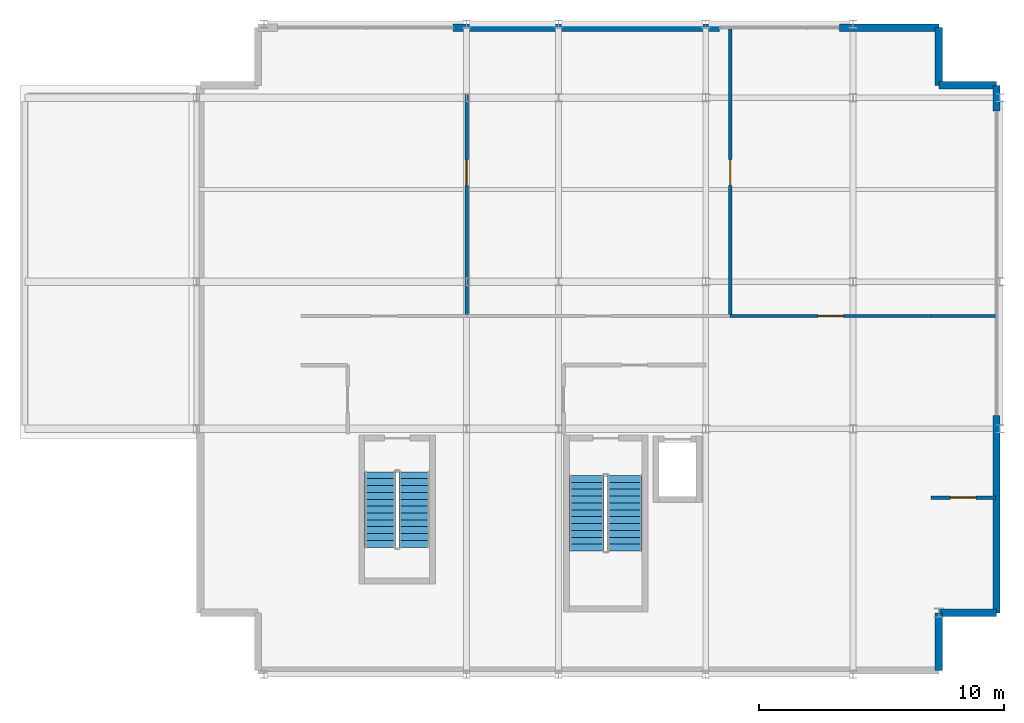
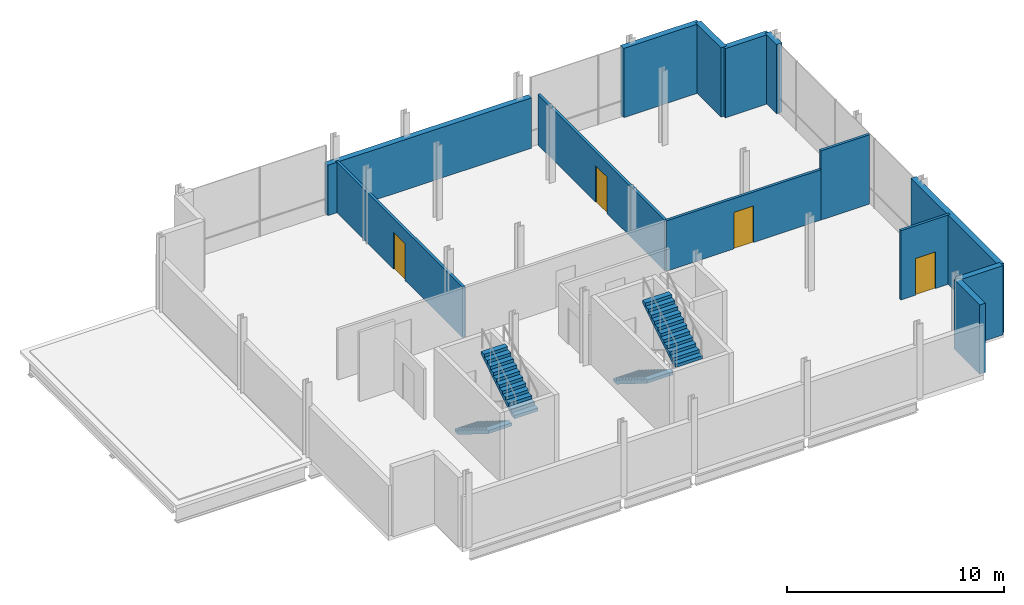
# One storey, part 10 of 11: 13 walls, 4 doors, 4 stair flights, 4 openings, 2 elements without a shape of their own.
"""IFC4 building model written with IfcOpenShell, lengths in metres."""

from ifc_helpers import new_model, si_unit, direction, frame, frame_2d, origin, place, context, subcontext, project, spatial, polyline, rectangle, outline, extrude, material, layer, layer_set, type_object, element, fill, aggregate, save


model = new_model("IFC4")

# Units and contexts
model_context = context("Model", 3, precision=1e-05, world=origin(), true_north=direction((0.0, 1.0)))
body_context = subcontext(model_context, "Body", "Model", "MODEL_VIEW")
ifc_project = project(units=[si_unit("LENGTHUNIT", "METRE"), si_unit("AREAUNIT", "SQUARE_METRE"), si_unit("VOLUMEUNIT", "CUBIC_METRE"), si_unit("PLANEANGLEUNIT", "RADIAN"), si_unit("MASSUNIT", "GRAM", prefix="KILO")], contexts=[model_context])

# Site, building, storey
site_placement = place(None, origin())
site = spatial("IfcSite", under=ifc_project, at=site_placement, CompositionType="ELEMENT")
building_placement = place(site_placement, origin())
building = spatial("IfcBuilding", under=site, at=building_placement, Name="Brevholm Reach", CompositionType="ELEMENT")
storey_placement = place(building_placement, frame((0.0, 0.0, 247.25)))
storey = spatial("IfcBuildingStorey", under=building, at=storey_placement, Name="L75", CompositionType="ELEMENT", Elevation=247.25)

# Walls
ifc_material_1 = material(Name="Concrete C40/50", Category="concrete")
ifc_layer_1 = layer(ifc_material_1, 0.300048828125)
ifc_layer_set_1 = layer_set([ifc_layer_1], Name="Concrete C40/50")
wall_type_1 = type_object("IfcWallType", Name="WAL-EXT-300", PredefinedType="STANDARD", material=ifc_layer_set_1)
for number, where, z_axis, x_axis, name in (
    (1, (57.5, 0.14990234375, 0.0), (0.0, 0.0, 1.0), (0.0, 1.0, 0.0), "L75 Facade Wall WAL-L75-CSE1"),
    (2, (57.5, 2.5, 0.0), (0.0, 0.0, 1.0), (1.0, 0.0, 0.0), "L75 Facade Wall WAL-L75-CSE2"),
    (3, (59.85009765625, 24.0, 0.0), (0.0, 0.0, 1.0), (-1.0, 0.0, 0.0), "L75 Facade Wall WAL-L75-CNE1"),
    (4, (57.5, 24.0, 0.0), (0.0, 0.0, 1.0), (0.0, 1.0, 0.0), "L75 Facade Wall WAL-L75-CNE2"),
):
    element("IfcWall", number, at=place(storey_placement, frame(where, z_axis=z_axis, x_axis=x_axis)), inside=storey, type_object=wall_type_1, Name=name, PredefinedType="STANDARD", context=body_context, shape_type="SweptSolid", body=[
        extrude(rectangle(XDim=2.35009765625, YDim=0.300048828125, at=frame_2d((1.175048828125, 0.0))), origin(), (0.0, 0.0, 1.0), 3.89990234375),
    ])
wall_1_placement = place(storey_placement, frame((59.85009765625, 2.5, 0.0), z_axis=(0.0, 0.0, 1.0), x_axis=(0.0, 1.0, 0.0)))
element("IfcWall", 5, at=wall_1_placement, inside=storey, type_object=wall_type_1, Name="L75 Facade Wall WAL-L75-E-S", PredefinedType="STANDARD", context=body_context, shape_type="SweptSolid", body=[
    extrude(rectangle(XDim=8.050048828125, YDim=0.300048828125, at=frame_2d((4.02490234375, 0.0))), origin(), (0.0, 0.0, 1.0), 3.89990234375),
])
wall_2_placement = place(storey_placement, frame((59.85009765625, 22.949951171875, 0.0), z_axis=(0.0, 0.0, 1.0), x_axis=(0.0, 1.0, 0.0)))
element("IfcWall", 6, at=wall_2_placement, inside=storey, type_object=wall_type_1, Name="L75 Facade Wall WAL-L75-E-TOP", PredefinedType="STANDARD", context=body_context, shape_type="SweptSolid", body=[
    extrude(rectangle(XDim=1.050048828125, YDim=0.300048828125, at=frame_2d((0.52490234375, 0.0))), origin(), (0.0, 0.0, 1.0), 3.89990234375),
])
wall_3_placement = place(storey_placement, frame((37.699951171875, 26.35009765625, 0.0), z_axis=(0.0, 0.0, 1.0), x_axis=(1.0, 0.0, 0.0)))
element("IfcWall", 7, at=wall_3_placement, inside=storey, type_object=wall_type_1, Name="L75 Facade Wall WAL-L75-NP-2", PredefinedType="STANDARD", context=body_context, shape_type="SweptSolid", body=[
    extrude(rectangle(XDim=10.85009765625, YDim=0.300048828125, at=frame_2d((5.425048828125, 0.0))), origin(), (0.0, 0.0, 1.0), 2.838623046875),
])
wall_4_placement = place(storey_placement, frame((53.449951171875, 26.35009765625, 0.0), z_axis=(0.0, 0.0, 1.0), x_axis=(1.0, 0.0, 0.0)))
element("IfcWall", 8, at=wall_4_placement, inside=storey, type_object=wall_type_1, Name="L75 Facade Wall WAL-L75-NP-4", PredefinedType="STANDARD", context=body_context, shape_type="SweptSolid", body=[
    extrude(rectangle(XDim=4.050048828125, YDim=0.300048828125, at=frame_2d((2.02490234375, 0.0))), origin(), (0.0, 0.0, 1.0), 3.89990234375),
])

# Wall, opening, door
ifc_material_2 = material(Name="Twin-Stud Acoustic Fire-Rated Gypsum Partition 140 mm", Category="gypsum")
ifc_layer_2 = layer(ifc_material_2, 0.139892578125)
ifc_layer_set_2 = layer_set([ifc_layer_2], Name="Twin-Stud Acoustic Fire-Rated Gypsum Partition 140 mm")
wall_type_2 = type_object("IfcWallType", Name="WAL-PRT-140", PredefinedType="PARTITIONING", material=ifc_layer_set_2)
wall_5_placement = place(storey_placement, frame((48.99267578125, 14.60009765625, 0.0), z_axis=(0.0, 0.0, 1.0), x_axis=(1.0, 0.0, 0.0)))
wall_5 = element("IfcWall", 9, at=wall_5_placement, inside=storey, type_object=wall_type_2, Name="L75 Internal Partition 006", PredefinedType="PARTITIONING", context=body_context, shape_type="SweptSolid", body=[
    extrude(rectangle(XDim=8.207275390625, YDim=0.139892578125, at=frame_2d((4.103515625, 0.0))), origin(), (0.0, 0.0, 1.0), 2.838623046875),
])
opening_1_placement = place(wall_5_placement, frame((3.57861328125, 0.0, 0.0)))
opening_1 = element("IfcOpeningElement", 10, at=opening_1_placement, cuts=wall_5, Name="Opening FD-01", PredefinedType="OPENING", context=body_context, shape_type="SweptSolid", body=[
    extrude(rectangle(XDim=1.050048828125, YDim=2.06005859375, at=frame_2d((0.52490234375, 1.030029296875))), frame((0.0, 0.079833984375, 0.0), z_axis=(0.0, -1.0, 0.0), x_axis=(1.0, 0.0, 0.0)), (0.0, 0.0, 1.0), 0.159912109375),
])
ifc_material_3 = material(Name="Hardwood-Lipped Steel-Core Fire and Smoke Door", Category="steel")
door_type = type_object("IfcDoorType", Name="DOR-INT-FD60S", OperationType="NOTDEFINED", PredefinedType="DOOR", material=ifc_material_3)
door_1_placement = place(opening_1_placement, origin())
door_1 = element("IfcDoor", 11, at=door_1_placement, inside=storey, type_object=door_type, Name="L75 Internal Door 006", OperationType="SINGLE_SWING_RIGHT", OverallHeight=2.06005859375, OverallWidth=1.050048828125, PredefinedType="DOOR", context=body_context, shape_type="SweptSolid", body=[
    extrude(rectangle(XDim=1.050048828125, YDim=2.06005859375, at=frame_2d((0.52490234375, 1.030029296875))), frame((0.0, 0.02490234375, 0.0), z_axis=(0.0, -1.0, 0.0), x_axis=(1.0, 0.0, 0.0)), (0.0, 0.0, 1.0), 0.050048828125),
])
fill(opening_1, door_1)

wall_6_placement = place(storey_placement, frame((38.25, 14.60400390625, 0.0), z_axis=(0.0, 0.0, 1.0), x_axis=(0.0, 1.0, 0.0)))
wall_6 = element("IfcWall", 12, at=wall_6_placement, inside=storey, type_object=wall_type_2, Name="L75 Internal Partition 008", PredefinedType="PARTITIONING", context=body_context, shape_type="SweptSolid", body=[
    extrude(rectangle(XDim=11.696044921875, YDim=0.139892578125, at=frame_2d((5.84814453125, 0.0))), origin(), (0.0, 0.0, 1.0), 2.838623046875),
])
opening_2_placement = place(wall_6_placement, frame((5.322998046875, 0.0, 0.0)))
opening_2 = element("IfcOpeningElement", 13, at=opening_2_placement, cuts=wall_6, Name="Opening FD-01", PredefinedType="OPENING", context=body_context, shape_type="SweptSolid", body=[
    extrude(rectangle(XDim=1.050048828125, YDim=2.06005859375, at=frame_2d((0.52490234375, 1.030029296875))), frame((0.0, 0.079833984375, 0.0), z_axis=(0.0, -1.0, 0.0), x_axis=(1.0, 0.0, 0.0)), (0.0, 0.0, 1.0), 0.159912109375),
])
door_2_placement = place(opening_2_placement, origin())
door_2 = element("IfcDoor", 14, at=door_2_placement, inside=storey, type_object=door_type, Name="L75 Internal Door 007", OperationType="SINGLE_SWING_LEFT", OverallHeight=2.06005859375, OverallWidth=1.050048828125, PredefinedType="DOOR", context=body_context, shape_type="SweptSolid", body=[
    extrude(rectangle(XDim=1.050048828125, YDim=2.06005859375, at=frame_2d((0.52490234375, 1.030029296875))), frame((0.0, 0.02490234375, 0.0), z_axis=(0.0, -1.0, 0.0), x_axis=(1.0, 0.0, 0.0)), (0.0, 0.0, 1.0), 0.050048828125),
])
fill(opening_2, door_2)

wall_7_placement = place(storey_placement, frame((49.0, 14.60400390625, 0.0), z_axis=(0.0, 0.0, 1.0), x_axis=(0.0, 1.0, 0.0)))
wall_7 = element("IfcWall", 15, at=wall_7_placement, inside=storey, type_object=wall_type_2, Name="L75 Internal Partition 009", PredefinedType="PARTITIONING", context=body_context, shape_type="SweptSolid", body=[
    extrude(rectangle(XDim=11.696044921875, YDim=0.139892578125, at=frame_2d((5.84814453125, 0.0))), origin(), (0.0, 0.0, 1.0), 2.838623046875),
])
opening_3_placement = place(wall_7_placement, frame((5.322998046875, 0.0, 0.0)))
opening_3 = element("IfcOpeningElement", 16, at=opening_3_placement, cuts=wall_7, Name="Opening FD-01", PredefinedType="OPENING", context=body_context, shape_type="SweptSolid", body=[
    extrude(rectangle(XDim=1.050048828125, YDim=2.06005859375, at=frame_2d((0.52490234375, 1.030029296875))), frame((0.0, 0.079833984375, 0.0), z_axis=(0.0, -1.0, 0.0), x_axis=(1.0, 0.0, 0.0)), (0.0, 0.0, 1.0), 0.159912109375),
])
door_3_placement = place(opening_3_placement, origin())
door_3 = element("IfcDoor", 17, at=door_3_placement, inside=storey, type_object=door_type, Name="L75 Internal Door 008", OperationType="SINGLE_SWING_RIGHT", OverallHeight=2.06005859375, OverallWidth=1.050048828125, PredefinedType="DOOR", context=body_context, shape_type="SweptSolid", body=[
    extrude(rectangle(XDim=1.050048828125, YDim=2.06005859375, at=frame_2d((0.52490234375, 1.030029296875))), frame((0.0, 0.02490234375, 0.0), z_axis=(0.0, -1.0, 0.0), x_axis=(1.0, 0.0, 0.0)), (0.0, 0.0, 1.0), 0.050048828125),
])
fill(opening_3, door_3)

# Wall
wall_8_placement = place(storey_placement, frame((57.2041015625, 14.60009765625, 0.0), z_axis=(0.0, 0.0, 1.0), x_axis=(1.0, 0.0, 0.0)))
element("IfcWall", 18, at=wall_8_placement, inside=storey, type_object=wall_type_2, Name="L75 Internal Partition 010", PredefinedType="PARTITIONING", context=body_context, shape_type="SweptSolid", body=[
    extrude(rectangle(XDim=2.595947265625, YDim=0.139892578125, at=frame_2d((1.2978515625, 0.0))), origin(), (0.0, 0.0, 1.0), 3.89990234375),
])

# Wall, opening, door
wall_9_placement = place(storey_placement, frame((57.188720703125, 7.199951171875, 0.0), z_axis=(0.0, 0.0, 1.0), x_axis=(1.0, 0.0, 0.0)))
wall_9 = element("IfcWall", 19, at=wall_9_placement, inside=storey, type_object=wall_type_2, Name="L75 Internal Partition 011", PredefinedType="PARTITIONING", context=body_context, shape_type="SweptSolid", body=[
    extrude(rectangle(XDim=2.611328125, YDim=0.139892578125, at=frame_2d((1.3056640625, 0.0))), origin(), (0.0, 0.0, 1.0), 3.89990234375),
])
opening_4_placement = place(wall_9_placement, frame((0.780517578125, 0.0, 0.0)))
opening_4 = element("IfcOpeningElement", 20, at=opening_4_placement, cuts=wall_9, Name="Opening FD-01", PredefinedType="OPENING", context=body_context, shape_type="SweptSolid", body=[
    extrude(rectangle(XDim=1.050048828125, YDim=2.06005859375, at=frame_2d((0.52490234375, 1.030029296875))), frame((0.0, 0.079833984375, 0.0), z_axis=(0.0, -1.0, 0.0), x_axis=(1.0, 0.0, 0.0)), (0.0, 0.0, 1.0), 0.159912109375),
])
door_4_placement = place(opening_4_placement, origin())
door_4 = element("IfcDoor", 21, at=door_4_placement, inside=storey, type_object=door_type, Name="L75 Internal Door 009", OperationType="SINGLE_SWING_LEFT", OverallHeight=2.06005859375, OverallWidth=1.050048828125, PredefinedType="DOOR", context=body_context, shape_type="SweptSolid", body=[
    extrude(rectangle(XDim=1.050048828125, YDim=2.06005859375, at=frame_2d((0.52490234375, 1.030029296875))), frame((0.0, 0.02490234375, 0.0), z_axis=(0.0, -1.0, 0.0), x_axis=(1.0, 0.0, 0.0)), (0.0, 0.0, 1.0), 0.050048828125),
])
fill(opening_4, door_4)

# Stair, stair flights
ifc_material_4 = material(Name="Precast Concrete C40/50", Category="concrete")
stair_type_1 = type_object("IfcStairType", Name="STR-ESC-1250", PredefinedType="DOUBLE_RETURN_STAIR", material=ifc_material_4)
stair_1_placement = place(storey_placement, origin())
stair_1 = element("IfcStair", 22, at=stair_1_placement, inside=storey, type_object=stair_type_1, Name="L75 ST-3", PredefinedType="DOUBLE_RETURN_STAIR")
ifc_material_5 = material(Name="Precast Concrete C40/50", Category="concrete")
ifc_layer_3 = layer(ifc_material_5, 0.1650390625)
ifc_layer_set_3 = layer_set([ifc_layer_3], Name="Precast Concrete C40/50")
stair_flight_type_1 = type_object("IfcStairFlightType", Name="STF-PRC-165", PredefinedType="STRAIGHT", material=ifc_layer_set_3)
stair_flight_1_placement = place(storey_placement, frame((34.72509765625, 8.25, 0.0), z_axis=(0.0, 0.0, 1.0), x_axis=(0.0, -1.0, 0.0)))
stair_flight_1 = element("IfcStairFlight", 23, at=stair_flight_1_placement, type_object=stair_flight_type_1, Name="ST-3 flight 1", NumberOfRisers=12, NumberOfTreads=11, PredefinedType="STRAIGHT", RiserHeight=0.175, TreadLength=0.28, context=body_context, shape_type="SweptSolid", body=[
    extrude(outline(polyline([(0.0, 0.0), (0.0, 0.175048828125), (0.280029296875, 0.175048828125), (0.280029296875, 0.35009765625), (0.56005859375, 0.35009765625), (0.56005859375, 0.52490234375), (0.840087890625, 0.52490234375), (0.840087890625, 0.699951171875), (1.1201171875, 0.699951171875), (1.1201171875, 0.875), (1.39990234375, 0.875), (1.39990234375, 1.050048828125), (1.679931640625, 1.050048828125), (1.679931640625, 1.22509765625), (1.9599609375, 1.22509765625), (1.9599609375, 1.39990234375), (2.239990234375, 1.39990234375), (2.239990234375, 1.574951171875), (2.52001953125, 1.574951171875), (2.52001953125, 1.75), (2.800048828125, 1.75), (2.800048828125, 1.925048828125), (3.080078125, 1.925048828125), (3.080078125, 2.10009765625), (3.080078125, 1.748291015625), (0.28271484375, 0.0), (0.0, 0.0)])), frame((0.0, 0.625, 0.0), z_axis=(0.0, -1.0, 0.0), x_axis=(1.0, 0.0, 0.0)), (0.0, 0.0, 1.0), 1.25),
])
stair_flight_2_placement = place(storey_placement, frame((36.125, 5.169921875, 2.10009765625), z_axis=(0.0, 0.0, 1.0), x_axis=(0.0, 1.0, 0.0)))
stair_flight_2 = element("IfcStairFlight", 24, at=stair_flight_2_placement, type_object=stair_flight_type_1, Name="ST-3 flight 2", NumberOfRisers=12, NumberOfTreads=11, PredefinedType="STRAIGHT", RiserHeight=0.175, TreadLength=0.28, context=body_context, shape_type="SweptSolid", body=[
    extrude(outline(polyline([(0.0, 0.0), (0.0, 0.175048828125), (0.280029296875, 0.175048828125), (0.280029296875, 0.35009765625), (0.56005859375, 0.35009765625), (0.56005859375, 0.52490234375), (0.840087890625, 0.52490234375), (0.840087890625, 0.699951171875), (1.1201171875, 0.699951171875), (1.1201171875, 0.875), (1.39990234375, 0.875), (1.39990234375, 1.050048828125), (1.679931640625, 1.050048828125), (1.679931640625, 1.22509765625), (1.9599609375, 1.22509765625), (1.9599609375, 1.39990234375), (2.239990234375, 1.39990234375), (2.239990234375, 1.574951171875), (2.52001953125, 1.574951171875), (2.52001953125, 1.75), (2.800048828125, 1.75), (2.800048828125, 1.925048828125), (3.080078125, 1.925048828125), (3.080078125, 2.10009765625), (3.080078125, 1.748291015625), (0.28271484375, 0.0), (0.0, 0.0)])), frame((0.0, 0.625, 0.0), z_axis=(0.0, -1.0, 0.0), x_axis=(1.0, 0.0, 0.0)), (0.0, 0.0, 1.0), 1.25),
])
aggregate(stair_1, [stair_flight_1, stair_flight_2])

ifc_material_6 = material(Name="Precast Concrete C40/50", Category="concrete")
stair_type_2 = type_object("IfcStairType", Name="STR-ESC-1400", PredefinedType="DOUBLE_RETURN_STAIR", material=ifc_material_6)
stair_2_placement = place(storey_placement, origin())
stair_2 = element("IfcStair", 25, at=stair_2_placement, inside=storey, type_object=stair_type_2, Name="L75 ST-2", PredefinedType="DOUBLE_RETURN_STAIR")
ifc_material_7 = material(Name="Precast Concrete C40/50", Category="concrete")
ifc_layer_4 = layer(ifc_material_7, 0.18505859375)
ifc_layer_set_4 = layer_set([ifc_layer_4], Name="Precast Concrete C40/50")
stair_flight_type_2 = type_object("IfcStairFlightType", Name="STF-PRC-185", PredefinedType="STRAIGHT", material=ifc_layer_set_4)
stair_flight_3_placement = place(storey_placement, frame((43.14990234375, 8.10009765625, 0.0), z_axis=(0.0, 0.0, 1.0), x_axis=(0.0, -1.0, 0.0)))
stair_flight_3 = element("IfcStairFlight", 26, at=stair_flight_3_placement, type_object=stair_flight_type_2, Name="ST-2 flight 1", NumberOfRisers=12, NumberOfTreads=11, PredefinedType="STRAIGHT", RiserHeight=0.175, TreadLength=0.28, context=body_context, shape_type="SweptSolid", body=[
    extrude(outline(polyline([(0.0, 0.0), (0.0, 0.175048828125), (0.280029296875, 0.175048828125), (0.280029296875, 0.35009765625), (0.56005859375, 0.35009765625), (0.56005859375, 0.52490234375), (0.840087890625, 0.52490234375), (0.840087890625, 0.699951171875), (1.1201171875, 0.699951171875), (1.1201171875, 0.875), (1.39990234375, 0.875), (1.39990234375, 1.050048828125), (1.679931640625, 1.050048828125), (1.679931640625, 1.22509765625), (1.9599609375, 1.22509765625), (1.9599609375, 1.39990234375), (2.239990234375, 1.39990234375), (2.239990234375, 1.574951171875), (2.52001953125, 1.574951171875), (2.52001953125, 1.75), (2.800048828125, 1.75), (2.800048828125, 1.925048828125), (3.080078125, 1.925048828125), (3.080078125, 2.10009765625), (3.080078125, 1.748291015625), (0.28271484375, 0.0), (0.0, 0.0)])), frame((0.0, 0.699951171875, 0.0), z_axis=(0.0, -1.0, 0.0), x_axis=(1.0, 0.0, 0.0)), (0.0, 0.0, 1.0), 1.39990234375),
])
stair_flight_4_placement = place(storey_placement, frame((44.699951171875, 5.02001953125, 2.10009765625), z_axis=(0.0, 0.0, 1.0), x_axis=(0.0, 1.0, 0.0)))
stair_flight_4 = element("IfcStairFlight", 27, at=stair_flight_4_placement, type_object=stair_flight_type_2, Name="ST-2 flight 2", NumberOfRisers=12, NumberOfTreads=11, PredefinedType="STRAIGHT", RiserHeight=0.175, TreadLength=0.28, context=body_context, shape_type="SweptSolid", body=[
    extrude(outline(polyline([(0.0, 0.0), (0.0, 0.175048828125), (0.280029296875, 0.175048828125), (0.280029296875, 0.35009765625), (0.56005859375, 0.35009765625), (0.56005859375, 0.52490234375), (0.840087890625, 0.52490234375), (0.840087890625, 0.699951171875), (1.1201171875, 0.699951171875), (1.1201171875, 0.875), (1.39990234375, 0.875), (1.39990234375, 1.050048828125), (1.679931640625, 1.050048828125), (1.679931640625, 1.22509765625), (1.9599609375, 1.22509765625), (1.9599609375, 1.39990234375), (2.239990234375, 1.39990234375), (2.239990234375, 1.574951171875), (2.52001953125, 1.574951171875), (2.52001953125, 1.75), (2.800048828125, 1.75), (2.800048828125, 1.925048828125), (3.080078125, 1.925048828125), (3.080078125, 2.10009765625), (3.080078125, 1.748291015625), (0.28271484375, 0.0), (0.0, 0.0)])), frame((0.0, 0.699951171875, 0.0), z_axis=(0.0, -1.0, 0.0), x_axis=(1.0, 0.0, 0.0)), (0.0, 0.0, 1.0), 1.39990234375),
])
aggregate(stair_2, [stair_flight_3, stair_flight_4])

save(model, "model.ifc")
